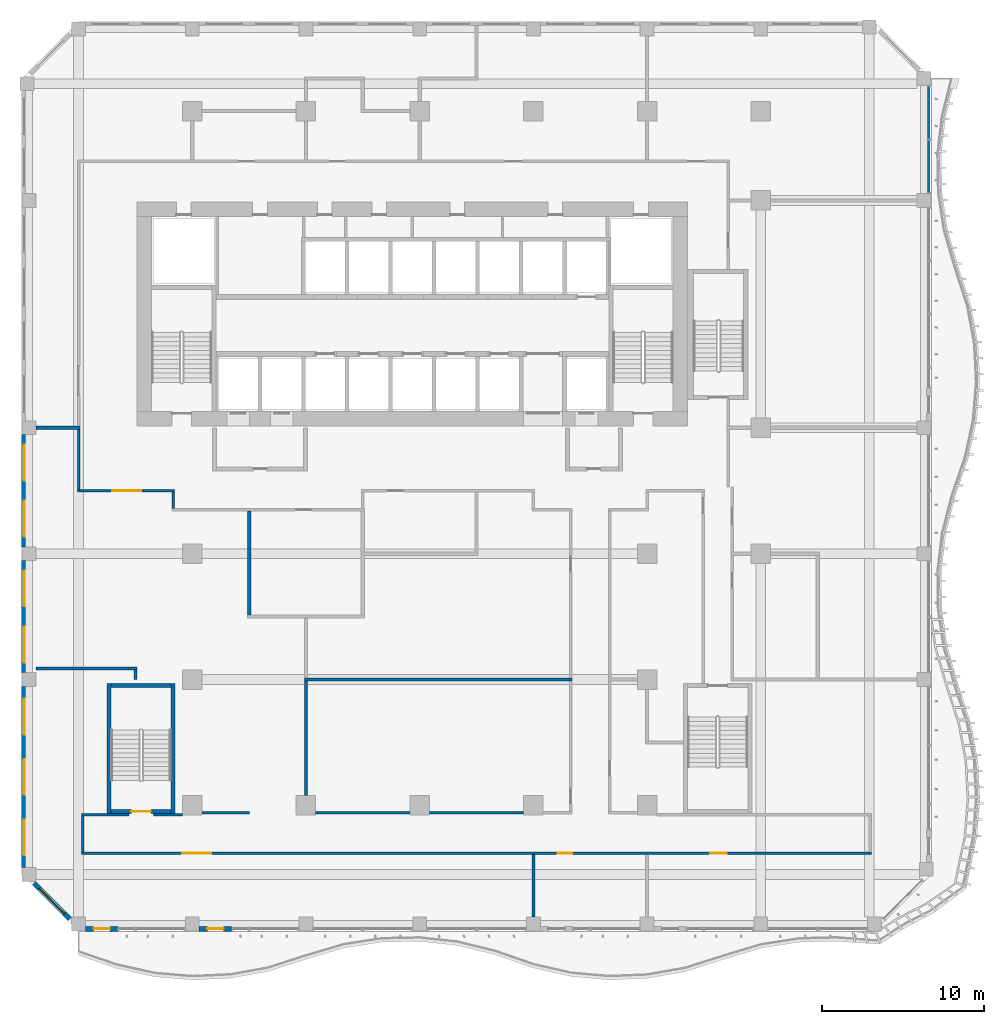
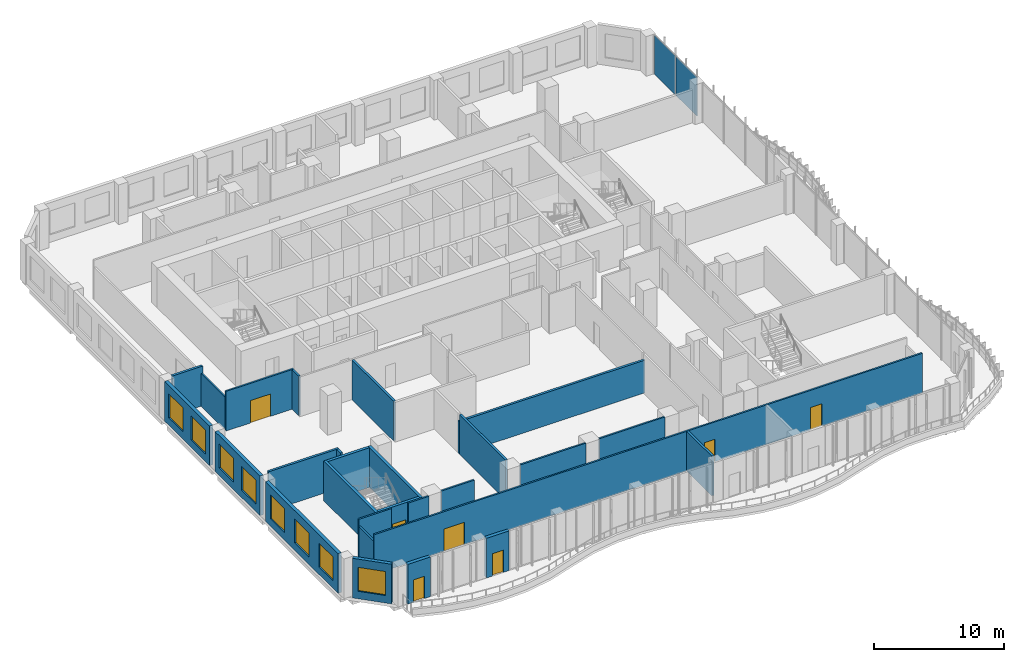
# One storey, part 12 of 26: 27 walls, 8 windows, 7 doors, 2 plates, 15 openings, 2 elements without a shape of their own.
"""IFC4 building model written with IfcOpenShell, lengths in metres."""

from ifc_helpers import new_model, si_unit, direction, frame, frame_2d, origin, origin_2d, place, context, subcontext, project, spatial, rectangle, extrude, source, transform, mapped, material, layer, layer_set, type_object, element, fill, aggregate, save


model = new_model("IFC4")

# Units and contexts
model_context = context("Model", 3, precision=1e-05, world=origin(), true_north=direction((0.0, 1.0)))
body_context = subcontext(model_context, "Body", "Model", "MODEL_VIEW")
ifc_project = project(units=[si_unit("LENGTHUNIT", "METRE"), si_unit("AREAUNIT", "SQUARE_METRE"), si_unit("VOLUMEUNIT", "CUBIC_METRE"), si_unit("PLANEANGLEUNIT", "RADIAN"), si_unit("MASSUNIT", "GRAM", prefix="KILO")], contexts=[model_context])

# Site, building, storey
site_placement = place(None, origin())
site = spatial("IfcSite", under=ifc_project, at=site_placement, CompositionType="ELEMENT")
building_placement = place(site_placement, origin())
building = spatial("IfcBuilding", under=site, at=building_placement, Name="Kilnfold Tower and Market Hall", CompositionType="ELEMENT")
storey_placement = place(building_placement, frame((0.0, 0.0, 104.60009765625)))
storey = spatial("IfcBuildingStorey", under=building, at=storey_placement, Name="L24", CompositionType="ELEMENT", Elevation=104.60009765625)

# Curtain wall, plate
ifc_material_1 = material(Name="Aluminium and double glazing", Category="aluminium")
curtain_wall_type = type_object("IfcCurtainWallType", Name="CW OF2 VALLEY GLAZING", PredefinedType="NOTDEFINED", material=ifc_material_1)
curtain_wall_1_placement = place(storey_placement, origin())
curtain_wall_1 = element("IfcCurtainWall", 1, at=curtain_wall_1_placement, inside=storey, type_object=curtain_wall_type, Name="Curtain wall CW2 L24 E", PredefinedType="NOTDEFINED")
ifc_material_2 = material(Name="Double glazed unit")
ifc_layer_1 = layer(ifc_material_2, 0.031982421875)
ifc_layer_set_1 = layer_set([ifc_layer_1], Name="Double glazed unit")
plate_type = type_object("IfcPlateType", Name="GLAZING PANEL 32", PredefinedType="CURTAIN_PANEL", material=ifc_layer_set_1)
shared_shape_1 = source(origin(), body_context, "Body", "SweptSolid", [
    extrude(rectangle(XDim=3.205078125, YDim=0.031982421875, at=origin_2d()), origin(), (0.0, 0.0, 1.0), 3.659912109375),
])
plate_1_placement = place(storey_placement, frame((32.85009765625, 24.08740234375, 0.0), z_axis=(0.0, 0.0, 1.0), x_axis=(0.0, 1.0, 0.0)))
plate_1 = element("IfcPlate", 2, at=plate_1_placement, type_object=plate_type, Name="CW2 panel 1.1", PredefinedType="CURTAIN_PANEL", context=body_context, shape_type="MappedRepresentation", body=[
    mapped(shared_shape_1, transform((0.0, 0.0, 0.0))),
])
aggregate(curtain_wall_1, [plate_1])

curtain_wall_2_placement = place(storey_placement, origin())
curtain_wall_2 = element("IfcCurtainWall", 3, at=curtain_wall_2_placement, inside=storey, type_object=curtain_wall_type, Name="Curtain wall CW2 L24 E", PredefinedType="NOTDEFINED")
plate_2_placement = place(storey_placement, frame((32.85009765625, 27.41259765625, 0.0), z_axis=(0.0, 0.0, 1.0), x_axis=(0.0, 1.0, 0.0)))
plate_2 = element("IfcPlate", 4, at=plate_2_placement, type_object=plate_type, Name="CW2 panel 1.1", PredefinedType="CURTAIN_PANEL", context=body_context, shape_type="MappedRepresentation", body=[
    mapped(shared_shape_1, transform((0.0, 0.0, 0.0))),
])
aggregate(curtain_wall_2, [plate_2])

# Walls
ifc_material_3 = material(Name="Gypsum board on steel studs", Category="steel")
ifc_layer_2 = layer(ifc_material_3, 0.14990234375)
ifc_layer_set_2 = layer_set([ifc_layer_2], Name="Gypsum board on steel studs")
wall_type_1 = type_object("IfcWallType", Name="WALL CORRIDOR 150", PredefinedType="PARTITIONING", material=ifc_layer_set_2)
wall_1_placement = place(storey_placement, frame((-14.89990234375, -15.824951171875, 0.0), z_axis=(0.0, 0.0, 1.0), x_axis=(1.0, 0.0, 0.0)))
element("IfcWall", 5, at=wall_1_placement, inside=storey, type_object=wall_type_1, Name="Partition LY16.1", PredefinedType="PARTITIONING", context=body_context, shape_type="SweptSolid", body=[
    extrude(rectangle(XDim=1.7998046875, YDim=0.14990234375, at=frame_2d((0.89990234375, 0.0))), origin(), (0.0, 0.0, 1.0), 3.719970703125),
])
wall_2_placement = place(storey_placement, frame((-11.89990234375, -15.699951171875, 0.0), z_axis=(0.0, 0.0, 1.0), x_axis=(1.0, 0.0, 0.0)))
element("IfcWall", 6, at=wall_2_placement, inside=storey, type_object=wall_type_1, Name="Partition LY16.2", PredefinedType="PARTITIONING", context=body_context, shape_type="SweptSolid", body=[
    extrude(rectangle(XDim=2.909912109375, YDim=0.14990234375, at=frame_2d((1.455078125, 0.0))), origin(), (0.0, 0.0, 1.0), 3.719970703125),
])
wall_3_placement = place(storey_placement, frame((-13.659912109375, 4.050048828125, 0.0), z_axis=(0.0, 0.0, 1.0), x_axis=(0.0, -1.0, 0.0)))
element("IfcWall", 7, at=wall_3_placement, inside=storey, type_object=wall_type_1, Name="Partition LY16.4", PredefinedType="PARTITIONING", context=body_context, shape_type="SweptSolid", body=[
    extrude(rectangle(XDim=1.025146484375, YDim=0.14990234375, at=frame_2d((0.5126953125, 0.0))), origin(), (0.0, 0.0, 1.0), 3.719970703125),
])

# Wall, opening, door
wall_4_placement = place(storey_placement, frame((-19.574951171875, 4.125, 0.0), z_axis=(0.0, 0.0, 1.0), x_axis=(1.0, 0.0, 0.0)))
wall_4 = element("IfcWall", 8, at=wall_4_placement, inside=storey, type_object=wall_type_1, Name="Partition LY16.5", PredefinedType="PARTITIONING", context=body_context, shape_type="SweptSolid", body=[
    extrude(rectangle(XDim=5.989990234375, YDim=0.14990234375, at=frame_2d((2.9951171875, 0.0))), origin(), (0.0, 0.0, 1.0), 3.719970703125),
])
opening_1_placement = place(wall_4_placement, frame((2.14599609375, 0.0, 0.0)))
opening_1 = element("IfcOpeningElement", 9, at=opening_1_placement, cuts=wall_4, Name="Opening D5", PredefinedType="OPENING", context=body_context, shape_type="SweptSolid", body=[
    extrude(rectangle(XDim=1.800048828125, YDim=2.10009765625, at=frame_2d((0.89990234375, 1.050048828125))), frame((0.0, 0.0849609375, 0.0), z_axis=(0.0, -1.0, 0.0), x_axis=(1.0, 0.0, 0.0)), (0.0, 0.0, 1.0), 0.169921875),
])
ifc_material_4 = material(Name="Timber veneer door leaf in steel frame", Category="steel")
door_type_1 = type_object("IfcDoorType", Name="DOOR DOUBLE 1800 X2100", OperationType="NOTDEFINED", PredefinedType="DOOR", material=ifc_material_4)
door_1_placement = place(opening_1_placement, origin())
door_1 = element("IfcDoor", 10, at=door_1_placement, inside=storey, type_object=door_type_1, Name="Door D5", OperationType="DOUBLE_DOOR_SINGLE_SWING", OverallHeight=2.10009765625, OverallWidth=1.800048828125, PredefinedType="DOOR", context=body_context, shape_type="SweptSolid", body=[
    extrude(rectangle(XDim=1.800048828125, YDim=2.10009765625, at=frame_2d((0.89990234375, 1.050048828125))), frame((0.0, 0.02490234375, 0.0), z_axis=(0.0, -1.0, 0.0), x_axis=(1.0, 0.0, 0.0)), (0.0, 0.0, 1.0), 0.050048828125),
])
fill(opening_1, door_1)

# Wall
wall_5_placement = place(storey_placement, frame((-19.5, 4.199951171875, 0.0), z_axis=(0.0, 0.0, 1.0), x_axis=(0.0, 1.0, 0.0)))
element("IfcWall", 11, at=wall_5_placement, inside=storey, type_object=wall_type_1, Name="Partition LY16.6", PredefinedType="PARTITIONING", context=body_context, shape_type="SweptSolid", body=[
    extrude(rectangle(XDim=3.7099609375, YDim=0.14990234375, at=frame_2d((1.85498046875, 0.0))), origin(), (0.0, 0.0, 1.0), 3.06982421875),
])

# Wall, openings, doors
wall_6_placement = place(storey_placement, frame((-19.324951171875, -18.199951171875, 0.0), z_axis=(0.0, 0.0, 1.0), x_axis=(1.0, 0.0, 0.0)))
wall_6 = element("IfcWall", 12, at=wall_6_placement, inside=storey, type_object=wall_type_1, Name="Partition LY16.7", PredefinedType="PARTITIONING", context=body_context, shape_type="SweptSolid", body=[
    extrude(rectangle(XDim=48.64990234375, YDim=0.14990234375, at=frame_2d((24.324951171875, 0.0))), origin(), (0.0, 0.0, 1.0), 3.719970703125),
])
opening_2_placement = place(wall_6_placement, frame((6.2080078125, 0.0, 0.0)))
opening_2 = element("IfcOpeningElement", 13, at=opening_2_placement, cuts=wall_6, Name="Opening D5", PredefinedType="OPENING", context=body_context, shape_type="SweptSolid", body=[
    extrude(rectangle(XDim=1.800048828125, YDim=2.10009765625, at=frame_2d((0.89990234375, 1.050048828125))), frame((0.0, 0.0849609375, 0.0), z_axis=(0.0, -1.0, 0.0), x_axis=(1.0, 0.0, 0.0)), (0.0, 0.0, 1.0), 0.169921875),
])
opening_3_placement = place(wall_6_placement, frame((29.320068359375, 0.0, 0.0)))
opening_3 = element("IfcOpeningElement", 14, at=opening_3_placement, cuts=wall_6, Name="Opening D2", PredefinedType="OPENING", context=body_context, shape_type="SweptSolid", body=[
    extrude(rectangle(XDim=0.89990234375, YDim=2.10009765625, at=frame_2d((0.449951171875, 1.050048828125))), frame((0.0, 0.0849609375, 0.0), z_axis=(0.0, -1.0, 0.0), x_axis=(1.0, 0.0, 0.0)), (0.0, 0.0, 1.0), 0.169921875),
])
opening_4_placement = place(wall_6_placement, frame((38.72509765625, 0.0, 0.0)))
opening_4 = element("IfcOpeningElement", 15, at=opening_4_placement, cuts=wall_6, Name="Opening D1", PredefinedType="OPENING", context=body_context, shape_type="SweptSolid", body=[
    extrude(rectangle(XDim=1.0, YDim=2.10009765625, at=frame_2d((0.5, 1.050048828125))), frame((0.0, 0.0849609375, 0.0), z_axis=(0.0, -1.0, 0.0), x_axis=(1.0, 0.0, 0.0)), (0.0, 0.0, 1.0), 0.169921875),
])
door_2_placement = place(opening_2_placement, origin())
door_2 = element("IfcDoor", 16, at=door_2_placement, inside=storey, type_object=door_type_1, Name="Door D5", OperationType="DOUBLE_DOOR_SINGLE_SWING", OverallHeight=2.10009765625, OverallWidth=1.800048828125, PredefinedType="DOOR", context=body_context, shape_type="SweptSolid", body=[
    extrude(rectangle(XDim=1.800048828125, YDim=2.10009765625, at=frame_2d((0.89990234375, 1.050048828125))), frame((0.0, 0.02490234375, 0.0), z_axis=(0.0, -1.0, 0.0), x_axis=(1.0, 0.0, 0.0)), (0.0, 0.0, 1.0), 0.050048828125),
])
fill(opening_2, door_2)
ifc_material_5 = material(Name="Timber veneer door leaf in steel frame", Category="steel")
door_type_2 = type_object("IfcDoorType", Name="DOOR ENTRY 1000 X2100", OperationType="NOTDEFINED", PredefinedType="DOOR", material=ifc_material_5)
door_3_placement = place(opening_4_placement, origin())
door_3 = element("IfcDoor", 17, at=door_3_placement, inside=storey, type_object=door_type_2, Name="Door D1", OperationType="SINGLE_SWING_RIGHT", OverallHeight=2.10009765625, OverallWidth=1.0, PredefinedType="DOOR", context=body_context, shape_type="SweptSolid", body=[
    extrude(rectangle(XDim=1.0, YDim=2.10009765625, at=frame_2d((0.5, 1.050048828125))), frame((0.0, 0.02490234375, 0.0), z_axis=(0.0, -1.0, 0.0), x_axis=(1.0, 0.0, 0.0)), (0.0, 0.0, 1.0), 0.050048828125),
])
fill(opening_4, door_3)
ifc_material_6 = material(Name="Timber veneer door leaf in steel frame", Category="steel")
door_type_3 = type_object("IfcDoorType", Name="DOOR ROOM 900 X2100", OperationType="NOTDEFINED", PredefinedType="DOOR", material=ifc_material_6)
door_4_placement = place(opening_3_placement, origin())
door_4 = element("IfcDoor", 18, at=door_4_placement, inside=storey, type_object=door_type_3, Name="Door D2", OperationType="SINGLE_SWING_RIGHT", OverallHeight=2.10009765625, OverallWidth=0.89990234375, PredefinedType="DOOR", context=body_context, shape_type="SweptSolid", body=[
    extrude(rectangle(XDim=0.89990234375, YDim=2.10009765625, at=frame_2d((0.449951171875, 1.050048828125))), frame((0.0, 0.02490234375, 0.0), z_axis=(0.0, -1.0, 0.0), x_axis=(1.0, 0.0, 0.0)), (0.0, 0.0, 1.0), 0.050048828125),
])
fill(opening_3, door_4)

# Walls
wall_7_placement = place(storey_placement, frame((-19.25, -15.89990234375, 0.0), z_axis=(0.0, 0.0, 1.0), x_axis=(0.0, -1.0, 0.0)))
element("IfcWall", 19, at=wall_7_placement, inside=storey, type_object=wall_type_1, Name="Partition LY16.8", PredefinedType="PARTITIONING", context=body_context, shape_type="SweptSolid", body=[
    extrude(rectangle(XDim=2.22509765625, YDim=0.14990234375, at=frame_2d((1.112548828125, 0.0))), origin(), (0.0, 0.0, 1.0), 3.06982421875),
])
wall_8_placement = place(storey_placement, frame((-19.324951171875, -15.824951171875, 0.0), z_axis=(0.0, 0.0, 1.0), x_axis=(1.0, 0.0, 0.0)))
element("IfcWall", 20, at=wall_8_placement, inside=storey, type_object=wall_type_1, Name="Partition LY16.9", PredefinedType="PARTITIONING", context=body_context, shape_type="SweptSolid", body=[
    extrude(rectangle(XDim=2.925048828125, YDim=0.14990234375, at=frame_2d((1.46240234375, 0.0))), origin(), (0.0, 0.0, 1.0), 3.719970703125),
])
for number, where, z_axis, x_axis, name in (
    (21, (-4.89990234375, -15.699951171875, 0.0), (0.0, 0.0, 1.0), (1.0, 0.0, 0.0), "Partition LY16.12"),
    (22, (2.10009765625, -15.699951171875, 0.0), (0.0, 0.0, 1.0), (1.0, 0.0, 0.0), "Partition LY16.13"),
):
    element("IfcWall", number, at=place(storey_placement, frame(where, z_axis=z_axis, x_axis=x_axis)), inside=storey, type_object=wall_type_1, Name=name, PredefinedType="PARTITIONING", context=body_context, shape_type="SweptSolid", body=[
        extrude(rectangle(XDim=5.7998046875, YDim=0.14990234375, at=frame_2d((2.89990234375, 0.0))), origin(), (0.0, 0.0, 1.0), 3.719970703125),
    ])
ifc_material_7 = material(Name="Gypsum board on steel studs", Category="steel")
ifc_layer_3 = layer(ifc_material_7, 0.199951171875)
ifc_layer_set_3 = layer_set([ifc_layer_3], Name="Gypsum board on steel studs")
wall_type_2 = type_object("IfcWallType", Name="WALL PARTY 200", PredefinedType="PARTITIONING", material=ifc_layer_set_3)
wall_9_placement = place(storey_placement, frame((-9.0, -3.52490234375, 0.0), z_axis=(0.0, 0.0, 1.0), x_axis=(0.0, 1.0, 0.0)))
element("IfcWall", 23, at=wall_9_placement, inside=storey, type_object=wall_type_2, Name="Partition LY16.36", PredefinedType="PARTITIONING", context=body_context, shape_type="SweptSolid", body=[
    extrude(rectangle(XDim=6.39892578125, YDim=0.199951171875, at=frame_2d((3.199462890625, 0.0))), origin(), (0.0, 0.0, 1.0), 3.719970703125),
])
wall_10_placement = place(storey_placement, frame((-15.998046875, -6.91796875, 0.0), z_axis=(0.0, 0.0, 1.0), x_axis=(0.0, -1.0, 0.0)))
element("IfcWall", 24, at=wall_10_placement, inside=storey, type_object=wall_type_2, Name="Partition LY16.38", PredefinedType="PARTITIONING", context=body_context, shape_type="SweptSolid", body=[
    extrude(rectangle(XDim=0.583984375, YDim=0.199951171875, at=frame_2d((0.2919921875, 0.0))), origin(), (0.0, 0.0, 1.0), 3.719970703125),
])
wall_11_placement = place(storey_placement, frame((-22.126953125, -6.818115234375, 0.0), z_axis=(0.0, 0.0, 1.0), x_axis=(1.0, 0.0, 0.0)))
element("IfcWall", 25, at=wall_11_placement, inside=storey, type_object=wall_type_2, Name="Partition LY16.39", PredefinedType="PARTITIONING", context=body_context, shape_type="SweptSolid", body=[
    extrude(rectangle(XDim=6.22900390625, YDim=0.199951171875, at=frame_2d((3.114501953125, 0.0))), origin(), (0.0, 0.0, 1.0), 3.719970703125),
])
wall_12_placement = place(storey_placement, frame((-5.5, -14.64990234375, 0.0), z_axis=(0.0, 0.0, 1.0), x_axis=(0.0, 1.0, 0.0)))
element("IfcWall", 26, at=wall_12_placement, inside=storey, type_object=wall_type_2, Name="Partition LY16.40", PredefinedType="PARTITIONING", context=body_context, shape_type="SweptSolid", body=[
    extrude(rectangle(XDim=7.059814453125, YDim=0.199951171875, at=frame_2d((3.52978515625, 0.0))), origin(), (0.0, 0.0, 1.0), 3.719970703125),
])
wall_13_placement = place(storey_placement, frame((-22.125, 8.0, 0.0), z_axis=(0.0, 0.0, 1.0), x_axis=(1.0, 0.0, 0.0)))
element("IfcWall", 27, at=wall_13_placement, inside=storey, type_object=wall_type_2, Name="Partition LY16.42", PredefinedType="PARTITIONING", context=body_context, shape_type="SweptSolid", body=[
    extrude(rectangle(XDim=2.698974609375, YDim=0.199951171875, at=frame_2d((1.349609375, 0.0))), origin(), (0.0, 0.0, 1.0), 3.719970703125),
])
wall_14_placement = place(storey_placement, frame((8.5, -22.125, 0.0), z_axis=(0.0, 0.0, 1.0), x_axis=(0.0, 1.0, 0.0)))
element("IfcWall", 28, at=wall_14_placement, inside=storey, type_object=wall_type_2, Name="Partition LY16.45", PredefinedType="PARTITIONING", context=body_context, shape_type="SweptSolid", body=[
    extrude(rectangle(XDim=3.84912109375, YDim=0.199951171875, at=frame_2d((1.924560546875, 0.0))), origin(), (0.0, 0.0, 1.0), 3.719970703125),
])
wall_15_placement = place(storey_placement, frame((-5.60009765625, -7.5, 0.0), z_axis=(0.0, 0.0, 1.0), x_axis=(1.0, 0.0, 0.0)))
element("IfcWall", 29, at=wall_15_placement, inside=storey, type_object=wall_type_2, Name="Partition LY16.49", PredefinedType="PARTITIONING", context=body_context, shape_type="SweptSolid", body=[
    extrude(rectangle(XDim=16.47412109375, YDim=0.199951171875, at=frame_2d((8.237060546875, 0.0))), origin(), (0.0, 0.0, 1.0), 3.06982421875),
])

# Wall, opening, door
ifc_material_8 = material(Name="Concrete C70", Category="concrete")
ifc_layer_4 = layer(ifc_material_8, 0.25)
ifc_layer_set_4 = layer_set([ifc_layer_4], Name="Concrete C70")
wall_type_3 = type_object("IfcWallType", Name="CORE WALL 250 C70", PredefinedType="SHEAR", material=ifc_layer_set_4)
shared_shape_2 = source(origin(), body_context, "Body", "SweptSolid", [
    extrude(rectangle(XDim=3.699951171875, YDim=0.25, at=frame_2d((1.85009765625, 0.0))), origin(), (0.0, 0.0, 1.0), 3.719970703125),
])
wall_16_placement = place(storey_placement, frame((-17.5, -15.625, 0.0), z_axis=(0.0, 0.0, 1.0), x_axis=(1.0, 0.0, 0.0)))
wall_16 = element("IfcWall", 30, at=wall_16_placement, inside=storey, type_object=wall_type_3, Name="Stair enclosure ST3", PredefinedType="SHEAR", context=body_context, shape_type="MappedRepresentation", body=[
    mapped(shared_shape_2, transform((0.0, 0.0, 0.0))),
])
opening_5_placement = place(wall_16_placement, frame((1.25, 0.0, 0.0)))
opening_5 = element("IfcOpeningElement", 31, at=opening_5_placement, cuts=wall_16, Name="Opening SD1", PredefinedType="OPENING", context=body_context, shape_type="SweptSolid", body=[
    extrude(rectangle(XDim=1.199951171875, YDim=2.10009765625, at=frame_2d((0.60009765625, 1.050048828125))), frame((0.0, 0.135009765625, 0.0), z_axis=(0.0, -1.0, 0.0), x_axis=(1.0, 0.0, 0.0)), (0.0, 0.0, 1.0), 0.27001953125),
])
ifc_material_9 = material(Name="Steel door set with fire-resisting leaf", Category="steel")
door_type_4 = type_object("IfcDoorType", Name="STAIR FLOOR DOOR 1200X2100", OperationType="NOTDEFINED", PredefinedType="DOOR", material=ifc_material_9)
door_5_placement = place(opening_5_placement, origin())
door_5 = element("IfcDoor", 32, at=door_5_placement, inside=storey, type_object=door_type_4, Name="Exit stair ST3 door", OperationType="DOUBLE_DOOR_SINGLE_SWING", OverallHeight=2.10009765625, OverallWidth=1.199951171875, PredefinedType="DOOR", context=body_context, shape_type="SweptSolid", body=[
    extrude(rectangle(XDim=1.199951171875, YDim=2.10009765625, at=frame_2d((0.60009765625, 1.050048828125))), frame((0.0, 0.02490234375, 0.0), z_axis=(0.0, -1.0, 0.0), x_axis=(1.0, 0.0, 0.0)), (0.0, 0.0, 1.0), 0.050048828125),
])
fill(opening_5, door_5)

# Walls
wall_17_placement = place(storey_placement, frame((-17.5, -7.875, 0.0), z_axis=(0.0, 0.0, 1.0), x_axis=(1.0, 0.0, 0.0)))
element("IfcWall", 33, at=wall_17_placement, inside=storey, type_object=wall_type_3, Name="Stair enclosure ST3", PredefinedType="SHEAR", context=body_context, shape_type="MappedRepresentation", body=[
    mapped(shared_shape_2, transform((0.0, 0.0, 0.0))),
])
shared_shape_3 = source(origin(), body_context, "Body", "SweptSolid", [
    extrude(rectangle(XDim=8.0, YDim=0.25, at=frame_2d((4.0, 0.0))), origin(), (0.0, 0.0, 1.0), 3.719970703125),
])
for number, where, z_axis, x_axis, name in (
    (34, (-17.625, -15.75, 0.0), (0.0, 0.0, 1.0), (0.0, 1.0, 0.0), "Stair enclosure ST3"),
    (35, (-13.675048828125, -15.75, 0.0), (0.0, 0.0, 1.0), (0.0, 1.0, 0.0), "Stair enclosure ST3"),
):
    element("IfcWall", number, at=place(storey_placement, frame(where, z_axis=z_axis, x_axis=x_axis)), inside=storey, type_object=wall_type_3, Name=name, PredefinedType="SHEAR", context=body_context, shape_type="MappedRepresentation", body=[
        mapped(shared_shape_3, transform((0.0, 0.0, 0.0))),
    ])

# Wall, opening, door
ifc_material_10 = material(Name="Precast concrete C50/60", Category="concrete")
ifc_layer_5 = layer(ifc_material_10, 0.300048828125)
ifc_layer_set_5 = layer_set([ifc_layer_5], Name="Precast concrete C50/60")
wall_type_4 = type_object("IfcWallType", Name="PRECAST WALL 300", PredefinedType="SOLIDWALL", material=ifc_layer_set_5)
shared_shape_4 = source(origin(), body_context, "Body", "SweptSolid", [
    extrude(rectangle(XDim=2.0, YDim=0.300048828125, at=frame_2d((1.0, 0.0))), origin(), (0.0, 0.0, 1.0), 3.719970703125),
])
wall_18_placement = place(storey_placement, frame((-19.074951171875, -22.85009765625, 0.0), z_axis=(0.0, 0.0, 1.0), x_axis=(1.0, 0.0, 0.0)))
wall_18 = element("IfcWall", 36, at=wall_18_placement, inside=storey, type_object=wall_type_4, Name="External wall L24 S", PredefinedType="SOLIDWALL", context=body_context, shape_type="MappedRepresentation", body=[
    mapped(shared_shape_4, transform((0.0, 0.0, 0.0))),
])
opening_6_placement = place(wall_18_placement, frame((0.5, 0.0, 0.0)))
opening_6 = element("IfcOpeningElement", 37, at=opening_6_placement, cuts=wall_18, Name="Opening BD1", PredefinedType="OPENING", context=body_context, shape_type="SweptSolid", body=[
    extrude(rectangle(XDim=1.0, YDim=2.10009765625, at=frame_2d((0.5, 1.050048828125))), frame((0.0, 0.16015625, 0.0), z_axis=(0.0, -1.0, 0.0), x_axis=(1.0, 0.0, 0.0)), (0.0, 0.0, 1.0), 0.320068359375),
])
ifc_material_11 = material(Name="Aluminium frame and double glazing", Category="aluminium")
door_type_5 = type_object("IfcDoorType", Name="BALCONY DOOR 1000X2100", OperationType="NOTDEFINED", PredefinedType="DOOR", material=ifc_material_11)
door_6_placement = place(opening_6_placement, origin())
door_6 = element("IfcDoor", 38, at=door_6_placement, inside=storey, type_object=door_type_5, Name="Balcony door BD1 L24 S-1", OperationType="SINGLE_SWING_LEFT", OverallHeight=2.10009765625, OverallWidth=1.0, PredefinedType="DOOR", context=body_context, shape_type="SweptSolid", body=[
    extrude(rectangle(XDim=1.0, YDim=2.10009765625, at=frame_2d((0.5, 1.050048828125))), frame((0.0, 0.02490234375, 0.0), z_axis=(0.0, -1.0, 0.0), x_axis=(1.0, 0.0, 0.0)), (0.0, 0.0, 1.0), 0.050048828125),
])
fill(opening_6, door_6)

wall_19_placement = place(storey_placement, frame((-12.074951171875, -22.85009765625, 0.0), z_axis=(0.0, 0.0, 1.0), x_axis=(1.0, 0.0, 0.0)))
wall_19 = element("IfcWall", 39, at=wall_19_placement, inside=storey, type_object=wall_type_4, Name="External wall L24 S", PredefinedType="SOLIDWALL", context=body_context, shape_type="MappedRepresentation", body=[
    mapped(shared_shape_4, transform((0.0, 0.0, 0.0))),
])
opening_7_placement = place(wall_19_placement, frame((0.5, 0.0, 0.0)))
opening_7 = element("IfcOpeningElement", 40, at=opening_7_placement, cuts=wall_19, Name="Opening BD1", PredefinedType="OPENING", context=body_context, shape_type="SweptSolid", body=[
    extrude(rectangle(XDim=1.0, YDim=2.10009765625, at=frame_2d((0.5, 1.050048828125))), frame((0.0, 0.16015625, 0.0), z_axis=(0.0, -1.0, 0.0), x_axis=(1.0, 0.0, 0.0)), (0.0, 0.0, 1.0), 0.320068359375),
])
door_7_placement = place(opening_7_placement, origin())
door_7 = element("IfcDoor", 41, at=door_7_placement, inside=storey, type_object=door_type_5, Name="Balcony door BD1 L24 S-1", OperationType="SINGLE_SWING_LEFT", OverallHeight=2.10009765625, OverallWidth=1.0, PredefinedType="DOOR", context=body_context, shape_type="SweptSolid", body=[
    extrude(rectangle(XDim=1.0, YDim=2.10009765625, at=frame_2d((0.5, 1.050048828125))), frame((0.0, 0.02490234375, 0.0), z_axis=(0.0, -1.0, 0.0), x_axis=(1.0, 0.0, 0.0)), (0.0, 0.0, 1.0), 0.050048828125),
])
fill(opening_7, door_7)

# Wall, openings, windows
shared_shape_5 = source(origin(), body_context, "Body", "SweptSolid", [
    extrude(rectangle(XDim=6.89990234375, YDim=0.300048828125, at=frame_2d((3.449951171875, 0.0))), origin(), (0.0, 0.0, 1.0), 3.719970703125),
])
wall_20_placement = place(storey_placement, frame((-22.85009765625, 7.574951171875, 0.0), z_axis=(0.0, 0.0, 1.0), x_axis=(0.0, -1.0, 0.0)))
wall_20 = element("IfcWall", 42, at=wall_20_placement, inside=storey, type_object=wall_type_4, Name="External wall L24 W", PredefinedType="SOLIDWALL", context=body_context, shape_type="MappedRepresentation", body=[
    mapped(shared_shape_5, transform((0.0, 0.0, 0.0))),
])
opening_8_placement = place(wall_20_placement, frame((0.625, 0.0, 0.699951171875)))
opening_8 = element("IfcOpeningElement", 43, at=opening_8_placement, cuts=wall_20, Name="Opening W1", PredefinedType="OPENING", context=body_context, shape_type="SweptSolid", body=[
    extrude(rectangle(XDim=2.199951171875, YDim=2.25, at=frame_2d((1.10009765625, 1.125))), frame((0.0, 0.16015625, 0.0), z_axis=(0.0, -1.0, 0.0), x_axis=(1.0, 0.0, 0.0)), (0.0, 0.0, 1.0), 0.320068359375),
])
opening_9_placement = place(wall_20_placement, frame((4.074951171875, 0.0, 0.699951171875)))
opening_9 = element("IfcOpeningElement", 44, at=opening_9_placement, cuts=wall_20, Name="Opening W1", PredefinedType="OPENING", context=body_context, shape_type="SweptSolid", body=[
    extrude(rectangle(XDim=2.199951171875, YDim=2.25, at=frame_2d((1.10009765625, 1.125))), frame((0.0, 0.16015625, 0.0), z_axis=(0.0, -1.0, 0.0), x_axis=(1.0, 0.0, 0.0)), (0.0, 0.0, 1.0), 0.320068359375),
])
ifc_material_12 = material(Name="Aluminium frame and double glazing", Category="aluminium")
window_type = type_object("IfcWindowType", Name="WINDOW W1 2200X2250", PartitioningType="SINGLE_PANEL", PredefinedType="WINDOW", material=ifc_material_12)
window_1_placement = place(opening_8_placement, origin())
window_1 = element("IfcWindow", 45, at=window_1_placement, inside=storey, type_object=window_type, Name="Window W1 L24 W-1", OverallHeight=2.25, OverallWidth=2.199951171875, PartitioningType="SINGLE_PANEL", PredefinedType="WINDOW", context=body_context, shape_type="SweptSolid", body=[
    extrude(rectangle(XDim=2.199951171875, YDim=2.25, at=frame_2d((1.10009765625, 1.125))), frame((0.0, 0.030029296875, 0.0), z_axis=(0.0, -1.0, 0.0), x_axis=(1.0, 0.0, 0.0)), (0.0, 0.0, 1.0), 0.06005859375),
])
fill(opening_8, window_1)
window_2_placement = place(opening_9_placement, origin())
window_2 = element("IfcWindow", 46, at=window_2_placement, inside=storey, type_object=window_type, Name="Window W1 L24 W-2", OverallHeight=2.25, OverallWidth=2.199951171875, PartitioningType="SINGLE_PANEL", PredefinedType="WINDOW", context=body_context, shape_type="SweptSolid", body=[
    extrude(rectangle(XDim=2.199951171875, YDim=2.25, at=frame_2d((1.10009765625, 1.125))), frame((0.0, 0.030029296875, 0.0), z_axis=(0.0, -1.0, 0.0), x_axis=(1.0, 0.0, 0.0)), (0.0, 0.0, 1.0), 0.06005859375),
])
fill(opening_9, window_2)

wall_21_placement = place(storey_placement, frame((-22.85009765625, -0.175048828125, 0.0), z_axis=(0.0, 0.0, 1.0), x_axis=(0.0, -1.0, 0.0)))
wall_21 = element("IfcWall", 47, at=wall_21_placement, inside=storey, type_object=wall_type_4, Name="External wall L24 W", PredefinedType="SOLIDWALL", context=body_context, shape_type="MappedRepresentation", body=[
    mapped(shared_shape_5, transform((0.0, 0.0, 0.0))),
])
opening_10_placement = place(wall_21_placement, frame((0.625, 0.0, 0.699951171875)))
opening_10 = element("IfcOpeningElement", 48, at=opening_10_placement, cuts=wall_21, Name="Opening W1", PredefinedType="OPENING", context=body_context, shape_type="SweptSolid", body=[
    extrude(rectangle(XDim=2.199951171875, YDim=2.25, at=frame_2d((1.10009765625, 1.125))), frame((0.0, 0.16015625, 0.0), z_axis=(0.0, -1.0, 0.0), x_axis=(1.0, 0.0, 0.0)), (0.0, 0.0, 1.0), 0.320068359375),
])
opening_11_placement = place(wall_21_placement, frame((4.074951171875, 0.0, 0.699951171875)))
opening_11 = element("IfcOpeningElement", 49, at=opening_11_placement, cuts=wall_21, Name="Opening W1", PredefinedType="OPENING", context=body_context, shape_type="SweptSolid", body=[
    extrude(rectangle(XDim=2.199951171875, YDim=2.25, at=frame_2d((1.10009765625, 1.125))), frame((0.0, 0.16015625, 0.0), z_axis=(0.0, -1.0, 0.0), x_axis=(1.0, 0.0, 0.0)), (0.0, 0.0, 1.0), 0.320068359375),
])
window_3_placement = place(opening_10_placement, origin())
window_3 = element("IfcWindow", 50, at=window_3_placement, inside=storey, type_object=window_type, Name="Window W1 L24 W-1", OverallHeight=2.25, OverallWidth=2.199951171875, PartitioningType="SINGLE_PANEL", PredefinedType="WINDOW", context=body_context, shape_type="SweptSolid", body=[
    extrude(rectangle(XDim=2.199951171875, YDim=2.25, at=frame_2d((1.10009765625, 1.125))), frame((0.0, 0.030029296875, 0.0), z_axis=(0.0, -1.0, 0.0), x_axis=(1.0, 0.0, 0.0)), (0.0, 0.0, 1.0), 0.06005859375),
])
fill(opening_10, window_3)
window_4_placement = place(opening_11_placement, origin())
window_4 = element("IfcWindow", 51, at=window_4_placement, inside=storey, type_object=window_type, Name="Window W1 L24 W-2", OverallHeight=2.25, OverallWidth=2.199951171875, PartitioningType="SINGLE_PANEL", PredefinedType="WINDOW", context=body_context, shape_type="SweptSolid", body=[
    extrude(rectangle(XDim=2.199951171875, YDim=2.25, at=frame_2d((1.10009765625, 1.125))), frame((0.0, 0.030029296875, 0.0), z_axis=(0.0, -1.0, 0.0), x_axis=(1.0, 0.0, 0.0)), (0.0, 0.0, 1.0), 0.06005859375),
])
fill(opening_11, window_4)

shared_shape_6 = source(origin(), body_context, "Body", "SweptSolid", [
    extrude(rectangle(XDim=11.14990234375, YDim=0.300048828125, at=frame_2d((5.574951171875, 0.0))), origin(), (0.0, 0.0, 1.0), 3.719970703125),
])
wall_22_placement = place(storey_placement, frame((-22.85009765625, -7.925048828125, 0.0), z_axis=(0.0, 0.0, 1.0), x_axis=(0.0, -1.0, 0.0)))
wall_22 = element("IfcWall", 52, at=wall_22_placement, inside=storey, type_object=wall_type_4, Name="External wall L24 W", PredefinedType="SOLIDWALL", context=body_context, shape_type="MappedRepresentation", body=[
    mapped(shared_shape_6, transform((0.0, 0.0, 0.0))),
])
opening_12_placement = place(wall_22_placement, frame((0.75830078125, 0.0, 0.699951171875)))
opening_12 = element("IfcOpeningElement", 53, at=opening_12_placement, cuts=wall_22, Name="Opening W1", PredefinedType="OPENING", context=body_context, shape_type="SweptSolid", body=[
    extrude(rectangle(XDim=2.199951171875, YDim=2.25, at=frame_2d((1.10009765625, 1.125))), frame((0.0, 0.16015625, 0.0), z_axis=(0.0, -1.0, 0.0), x_axis=(1.0, 0.0, 0.0)), (0.0, 0.0, 1.0), 0.320068359375),
])
opening_13_placement = place(wall_22_placement, frame((4.47509765625, 0.0, 0.699951171875)))
opening_13 = element("IfcOpeningElement", 54, at=opening_13_placement, cuts=wall_22, Name="Opening W1", PredefinedType="OPENING", context=body_context, shape_type="SweptSolid", body=[
    extrude(rectangle(XDim=2.199951171875, YDim=2.25, at=frame_2d((1.10009765625, 1.125))), frame((0.0, 0.16015625, 0.0), z_axis=(0.0, -1.0, 0.0), x_axis=(1.0, 0.0, 0.0)), (0.0, 0.0, 1.0), 0.320068359375),
])
opening_14_placement = place(wall_22_placement, frame((8.191650390625, 0.0, 0.699951171875)))
opening_14 = element("IfcOpeningElement", 55, at=opening_14_placement, cuts=wall_22, Name="Opening W1", PredefinedType="OPENING", context=body_context, shape_type="SweptSolid", body=[
    extrude(rectangle(XDim=2.199951171875, YDim=2.25, at=frame_2d((1.10009765625, 1.125))), frame((0.0, 0.16015625, 0.0), z_axis=(0.0, -1.0, 0.0), x_axis=(1.0, 0.0, 0.0)), (0.0, 0.0, 1.0), 0.320068359375),
])
window_5_placement = place(opening_12_placement, origin())
window_5 = element("IfcWindow", 56, at=window_5_placement, inside=storey, type_object=window_type, Name="Window W1 L24 W-1", OverallHeight=2.25, OverallWidth=2.199951171875, PartitioningType="SINGLE_PANEL", PredefinedType="WINDOW", context=body_context, shape_type="SweptSolid", body=[
    extrude(rectangle(XDim=2.199951171875, YDim=2.25, at=frame_2d((1.10009765625, 1.125))), frame((0.0, 0.030029296875, 0.0), z_axis=(0.0, -1.0, 0.0), x_axis=(1.0, 0.0, 0.0)), (0.0, 0.0, 1.0), 0.06005859375),
])
fill(opening_12, window_5)
window_6_placement = place(opening_13_placement, origin())
window_6 = element("IfcWindow", 57, at=window_6_placement, inside=storey, type_object=window_type, Name="Window W1 L24 W-2", OverallHeight=2.25, OverallWidth=2.199951171875, PartitioningType="SINGLE_PANEL", PredefinedType="WINDOW", context=body_context, shape_type="SweptSolid", body=[
    extrude(rectangle(XDim=2.199951171875, YDim=2.25, at=frame_2d((1.10009765625, 1.125))), frame((0.0, 0.030029296875, 0.0), z_axis=(0.0, -1.0, 0.0), x_axis=(1.0, 0.0, 0.0)), (0.0, 0.0, 1.0), 0.06005859375),
])
fill(opening_13, window_6)
window_7_placement = place(opening_14_placement, origin())
window_7 = element("IfcWindow", 58, at=window_7_placement, inside=storey, type_object=window_type, Name="Window W1 L24 W-3", OverallHeight=2.25, OverallWidth=2.199951171875, PartitioningType="SINGLE_PANEL", PredefinedType="WINDOW", context=body_context, shape_type="SweptSolid", body=[
    extrude(rectangle(XDim=2.199951171875, YDim=2.25, at=frame_2d((1.10009765625, 1.125))), frame((0.0, 0.030029296875, 0.0), z_axis=(0.0, -1.0, 0.0), x_axis=(1.0, 0.0, 0.0)), (0.0, 0.0, 1.0), 0.06005859375),
])
fill(opening_14, window_7)

# Wall, opening, window
shared_shape_7 = source(origin(), body_context, "Body", "SweptSolid", [
    extrude(rectangle(XDim=3.111083984375, YDim=0.300048828125, at=frame_2d((1.5556640625, 0.0))), origin(), (0.0, 0.0, 1.0), 3.719970703125),
])
wall_23_placement = place(storey_placement, frame((-22.243896484375, -20.0439453125, 0.0), z_axis=(0.0, 0.0, 1.0), x_axis=(0.707106781187, -0.707106781187, 0.0)))
wall_23 = element("IfcWall", 59, at=wall_23_placement, inside=storey, type_object=wall_type_4, Name="External wall L24 SW", PredefinedType="SOLIDWALL", context=body_context, shape_type="MappedRepresentation", body=[
    mapped(shared_shape_7, transform((0.0, 0.0, 0.0))),
])
opening_15_placement = place(wall_23_placement, frame((0.45556640625, 0.0, 0.699951171875)))
opening_15 = element("IfcOpeningElement", 60, at=opening_15_placement, cuts=wall_23, Name="Opening W1", PredefinedType="OPENING", context=body_context, shape_type="SweptSolid", body=[
    extrude(rectangle(XDim=2.199951171875, YDim=2.25, at=frame_2d((1.10009765625, 1.125))), frame((0.0, 0.16015625, 0.0), z_axis=(0.0, -1.0, 0.0), x_axis=(1.0, 0.0, 0.0)), (0.0, 0.0, 1.0), 0.320068359375),
])
window_8_placement = place(opening_15_placement, origin())
window_8 = element("IfcWindow", 61, at=window_8_placement, inside=storey, type_object=window_type, Name="Window W1 L24 SW-1", OverallHeight=2.25, OverallWidth=2.199951171875, PartitioningType="SINGLE_PANEL", PredefinedType="WINDOW", context=body_context, shape_type="SweptSolid", body=[
    extrude(rectangle(XDim=2.199951171875, YDim=2.25, at=frame_2d((1.10009765625, 1.125))), frame((0.0, 0.030029296875, 0.0), z_axis=(0.0, -1.0, 0.0), x_axis=(1.0, 0.0, 0.0)), (0.0, 0.0, 1.0), 0.06005859375),
])
fill(opening_15, window_8)

save(model, "model.ifc")
